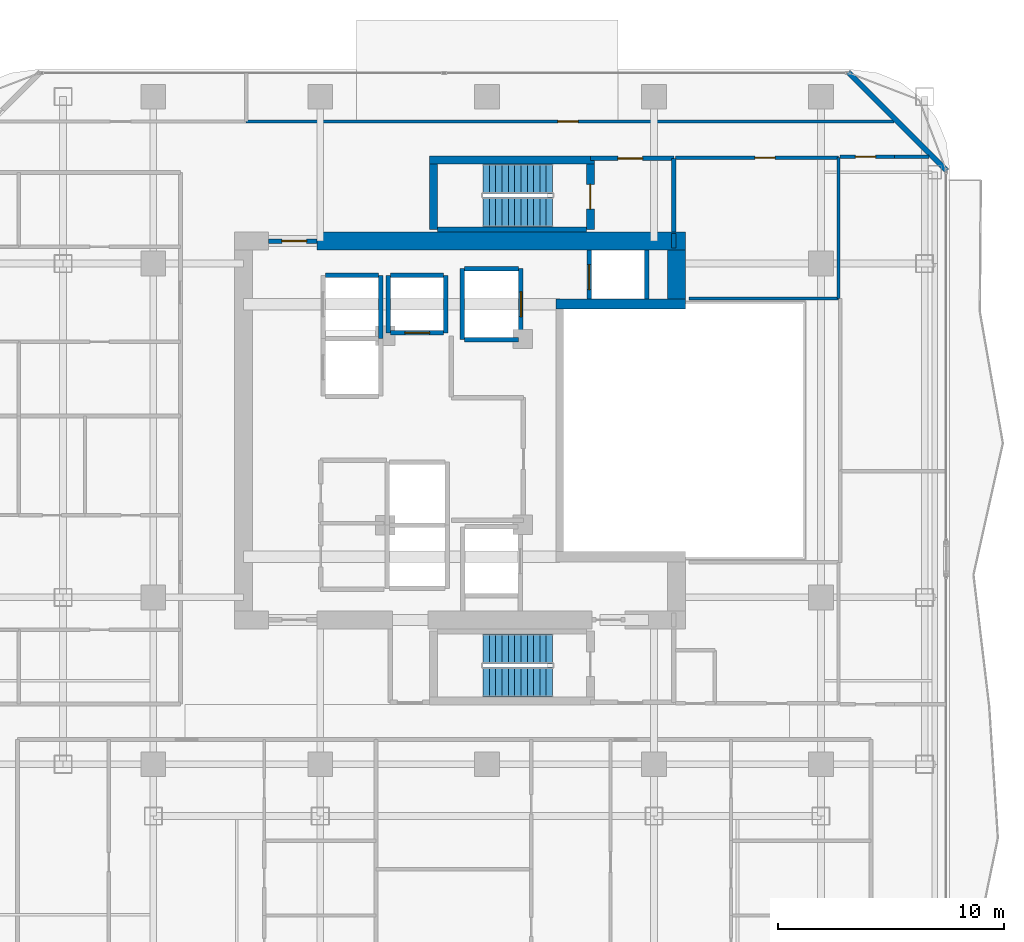
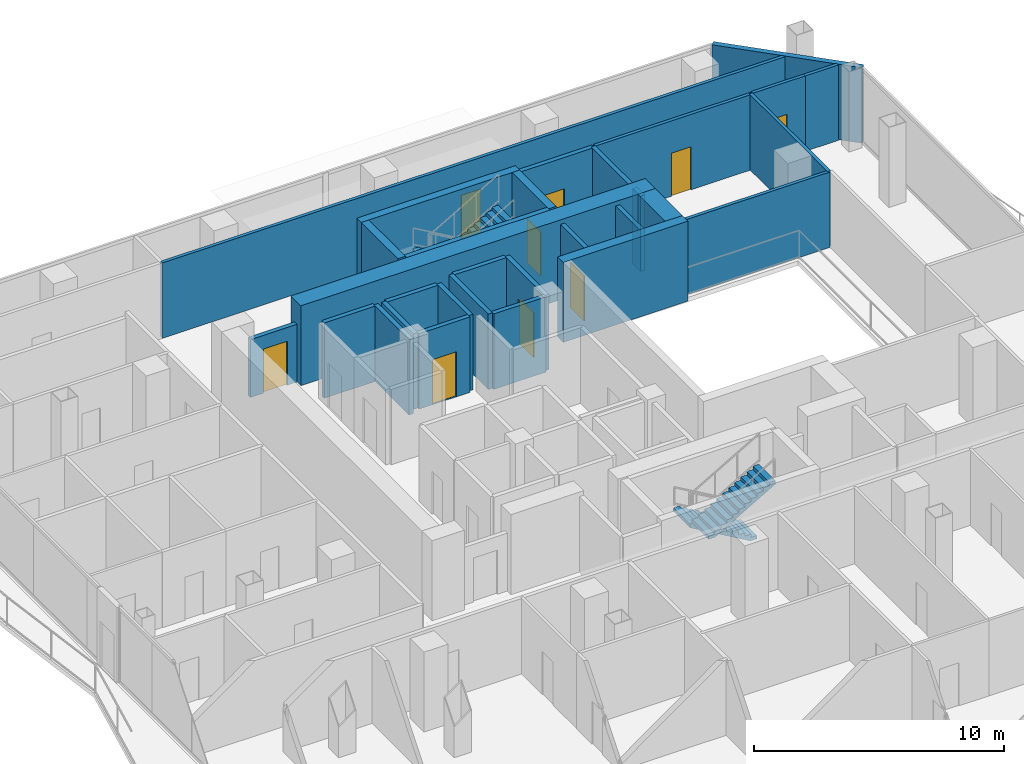
# One storey, part 20 of 23: 30 walls, 9 doors, 4 stair flights, 9 openings, 2 elements without a shape of their own.
"""IFC4 building model written with IfcOpenShell, lengths in metres."""

import ifcopenshell
import ifcopenshell.guid

model = None  # the IFC model being written
_history = None  # IfcOwnerHistory: only IFC2X3 demands one
_inside = {}  # id of a spatial element -> (the spatial element, [elements in it])
_under = {}  # id of a project, library or spatial element -> (it, [spatial elements below it])
_declared = {}  # id of a project -> (the project, [libraries it declares])
_typed = {}  # id of a type object -> (the type object, [elements of that type])
_made_of = {}  # id of a material, layer set ... -> (it, [elements and type objects made of it])


def new_model(schema):
    """Start an empty IFC model of exactly this schema.

    Asked for "IFC4X3", IfcOpenShell would pick the latest addendum, in which some entities
    have other attributes; the version numbers below select the first issue.
    IFC2X3 requires an IfcOwnerHistory on every rooted entity: one is made here for all.
    """
    global model, _history
    if schema == "IFC4X3":
        model = ifcopenshell.file(schema_version=(4, 3, 0, 0))
    else:
        model = ifcopenshell.file(schema=schema)
    _inside.clear()
    _under.clear()
    _declared.clear()
    _typed.clear()
    _made_of.clear()
    _history = None
    if model.schema == "IFC2X3":
        org = make("IfcOrganization", Name="unknown")
        user = make(
            "IfcPersonAndOrganization",
            ThePerson=make("IfcPerson", FamilyName="unknown"),
            TheOrganization=org,
        )
        app = make(
            "IfcApplication",
            ApplicationDeveloper=org,
            Version="unknown",
            ApplicationFullName="unknown",
            ApplicationIdentifier="unknown",
        )
        _history = make(
            "IfcOwnerHistory",
            OwningUser=user,
            OwningApplication=app,
            ChangeAction="ADDED",
            CreationDate=0,
        )
    return model


def make(cls, **values):
    """One entity of the class cls with the attributes given. An attribute that is None is left unset."""
    return model.create_entity(
        cls, **{name: value for name, value in values.items() if value is not None}
    )


def rooted(cls, **values):
    """An entity with a GlobalId (a new one), such as an element, a storey or a relation."""
    return make(cls, GlobalId=ifcopenshell.guid.new(), OwnerHistory=_history, **values)


def si_unit(unit_type, name, prefix=None):
    """IfcSIUnit, for example si_unit("LENGTHUNIT", "METRE", prefix="MILLI")."""
    return make("IfcSIUnit", UnitType=unit_type, Prefix=prefix, Name=name)


def assignment(units):
    """IfcUnitAssignment: the units of a project."""
    return None if units is None else make("IfcUnitAssignment", Units=units)


def point(xyz):
    """IfcCartesianPoint."""
    return None if xyz is None else make("IfcCartesianPoint", Coordinates=xyz)


def direction(xyz):
    """IfcDirection."""
    return None if xyz is None else make("IfcDirection", DirectionRatios=xyz)


def frame(location, z_axis=None, x_axis=None):
    """IfcAxis2Placement3D, a coordinate frame: its origin and axes. An axis left out is left unset."""
    return make(
        "IfcAxis2Placement3D",
        Location=point(location),
        Axis=direction(z_axis),
        RefDirection=direction(x_axis),
    )


def frame_2d(location, x_axis=None):
    """IfcAxis2Placement2D, a coordinate frame in the plane: its origin and x axis."""
    return make(
        "IfcAxis2Placement2D", Location=point(location), RefDirection=direction(x_axis)
    )


def origin():
    """The frame at (0, 0, 0) with its axes left unset."""
    return frame((0.0, 0.0, 0.0))


def place(relative_to, where):
    """IfcLocalPlacement: puts the frame where relative to a parent placement (None: the world)."""
    return make(
        "IfcLocalPlacement", PlacementRelTo=relative_to, RelativePlacement=where
    )


def context(
    kind, dimensions, precision=None, world=None, true_north=None, identifier=None
):
    """IfcGeometricRepresentationContext, for example the 3D "Model" context."""
    return make(
        "IfcGeometricRepresentationContext",
        ContextIdentifier=identifier,
        ContextType=kind,
        CoordinateSpaceDimension=dimensions,
        Precision=precision,
        WorldCoordinateSystem=world,
        TrueNorth=true_north,
    )


def subcontext(parent, identifier, kind, view, scale=None):
    """IfcGeometricRepresentationSubContext, for example "Body" below "Model"."""
    return make(
        "IfcGeometricRepresentationSubContext",
        ContextIdentifier=identifier,
        ContextType=kind,
        ParentContext=parent,
        TargetScale=scale,
        TargetView=view,
    )


def project(units=None, contexts=None):
    """IfcProject with its units and contexts."""
    return rooted(
        "IfcProject",
        Name="project",
        RepresentationContexts=contexts,
        UnitsInContext=assignment(units),
    )


def spatial(cls, under=None, at=None, **own):
    """A site, building, storey or space (cls), placed at a placement, below another one or the project."""
    s = rooted(cls, ObjectPlacement=at, **own)
    if under is not None:
        _under.setdefault(under.id(), (under, []))[1].append(s)
    return s


def polyline(points):
    """IfcPolyline through the points."""
    return make("IfcPolyline", Points=[point(p) for p in points])


def profile(cls, at=None, kind="AREA", **sizes):
    """A parametric profile (cls). Its sizes go by their IFC names, for example OverallWidth=200.0."""
    return make(cls, ProfileType=kind, Position=at, **sizes)


def rectangle(**sizes):
    """IfcRectangleProfileDef."""
    return profile("IfcRectangleProfileDef", **sizes)


def outline(outer, holes=None, kind="AREA"):
    """IfcArbitraryClosedProfileDef: a profile drawn as a closed curve; with holes, ...WithVoids."""
    if holes is None:
        return make("IfcArbitraryClosedProfileDef", ProfileType=kind, OuterCurve=outer)
    return make(
        "IfcArbitraryProfileDefWithVoids",
        ProfileType=kind,
        OuterCurve=outer,
        InnerCurves=holes,
    )


def extrude(swept, where, along, depth):
    """IfcExtrudedAreaSolid: the profile swept, set in the frame where, extruded along a direction by depth."""
    return make(
        "IfcExtrudedAreaSolid",
        SweptArea=swept,
        Position=where,
        ExtrudedDirection=direction(along),
        Depth=depth,
    )


def shape(context_of_items, identifier, shape_type, items):
    """IfcShapeRepresentation: the items that make up one representation, for example the "Body"."""
    return make(
        "IfcShapeRepresentation",
        ContextOfItems=context_of_items,
        RepresentationIdentifier=identifier,
        RepresentationType=shape_type,
        Items=items,
    )


def material(Name=None, Category=None):
    """IfcMaterial."""
    return make("IfcMaterial", Name=Name, Category=Category)


def layer(
    of_material, thickness, ventilated=None, Name=None, Category=None, Priority=None
):
    """IfcMaterialLayer: one layer of a wall or slab, of a material (None: an air gap)."""
    return make(
        "IfcMaterialLayer",
        Material=of_material,
        LayerThickness=thickness,
        IsVentilated=ventilated,
        Name=Name,
        Category=Category,
        Priority=Priority,
    )


def layer_set(layers, Name=None):
    """IfcMaterialLayerSet."""
    return make("IfcMaterialLayerSet", MaterialLayers=layers, LayerSetName=Name)


def made_of(thing, what):
    """Note that an element or type object is made of a material, layer set ...; save() writes the relation."""
    if what is not None:
        _made_of.setdefault(what.id(), (what, []))[1].append(thing)
    return thing


def type_object(cls, material=None, **own):
    """A type object (cls), such as IfcWallType, which elements share."""
    return made_of(rooted(cls, **own), material)


def element(
    cls,
    number,
    at=None,
    inside=None,
    cuts=None,
    type_object=None,
    material=None,
    context=None,
    identifier="Body",
    shape_type=None,
    held_by="IfcProductDefinitionShape",
    body=None,
    shapes=None,
    **own,
):
    """One element of the class cls, such as IfcWall. Its Tag is "e" and its number.

    at: its placement. inside: the storey or other place that contains it. cuts: it is an
    opening in that element (IfcRelVoidsElement). A single representation is given by context,
    identifier, shape_type and body (its items); several are given by shapes. held_by: the class
    of the entity that holds the representations. save() writes the other relations.
    """
    e = rooted(cls, Tag="e%d" % number, ObjectPlacement=at, **own)
    if body is not None:
        shapes = [shape(context, identifier, shape_type, body)]
    if shapes is not None:
        e.Representation = make(held_by, Representations=shapes)
    if inside is not None:
        _inside.setdefault(inside.id(), (inside, []))[1].append(e)
    if cuts is not None:
        rooted(
            "IfcRelVoidsElement", RelatingBuildingElement=cuts, RelatedOpeningElement=e
        )
    if type_object is not None:
        _typed.setdefault(type_object.id(), (type_object, []))[1].append(e)
    return made_of(e, material)


def fill(opening, filler):
    """IfcRelFillsElement: the door or window that sits in an opening."""
    return rooted(
        "IfcRelFillsElement",
        RelatingOpeningElement=opening,
        RelatedBuildingElement=filler,
    )


def aggregate(whole, parts):
    """IfcRelAggregates: a whole, such as a stair, and the parts it consists of."""
    return rooted("IfcRelAggregates", RelatingObject=whole, RelatedObjects=parts)


def save(model, path):
    """Write the relations noted so far, then the file.

    IfcRelAggregates (storeys below a building ...), IfcRelContainedInSpatialStructure (elements
    in a storey), IfcRelDefinesByType, IfcRelAssociatesMaterial and IfcRelDeclares: one each for
    every whole, place, type object, material and project.
    """
    for whole, parts in _under.values():
        aggregate(whole, parts)
    for where, things in _inside.values():
        rooted(
            "IfcRelContainedInSpatialStructure",
            RelatedElements=things,
            RelatingStructure=where,
        )
    for kind, things in _typed.values():
        rooted("IfcRelDefinesByType", RelatedObjects=things, RelatingType=kind)
    for what, things in _made_of.values():
        rooted("IfcRelAssociatesMaterial", RelatedObjects=things, RelatingMaterial=what)
    for by, libraries in _declared.values():
        rooted("IfcRelDeclares", RelatingContext=by, RelatedDefinitions=libraries)
    model.write(path)


model = new_model("IFC4")

# Units and contexts
model_context = context("Model", 3, precision=1e-05, world=origin(), true_north=direction((0.0, 1.0)))
body_context = subcontext(model_context, "Body", "Model", "MODEL_VIEW")
ifc_project = project(units=[si_unit("LENGTHUNIT", "METRE"), si_unit("AREAUNIT", "SQUARE_METRE"), si_unit("VOLUMEUNIT", "CUBIC_METRE"), si_unit("PLANEANGLEUNIT", "RADIAN"), si_unit("MASSUNIT", "GRAM", prefix="KILO")], contexts=[model_context])

# Site, building, storey
site_placement = place(None, origin())
site = spatial("IfcSite", under=ifc_project, at=site_placement, CompositionType="ELEMENT")
building_placement = place(site_placement, origin())
building = spatial("IfcBuilding", under=site, at=building_placement, Name="Khorvyn Point Tower", CompositionType="ELEMENT")
storey_placement = place(building_placement, frame((0.0, 0.0, 195.300048828125)))
storey = spatial("IfcBuildingStorey", under=building, at=storey_placement, Name="L48", CompositionType="ELEMENT", Elevation=195.300048828125)

# Walls
ifc_material_1 = material(Name="Pale anodised aluminium rainscreen on steel stud", Category="steel")
ifc_layer_1 = layer(ifc_material_1, 0.239990234375)
ifc_layer_set_1 = layer_set([ifc_layer_1], Name="Anodised Aluminium Insulated Corner Spandrel Wall 240")
wall_type_1 = type_object("IfcWallType", Name="Anodised Aluminium Insulated Corner Spandrel Wall 240", PredefinedType="SOLIDWALL", material=ifc_layer_set_1)
wall_1_placement = place(storey_placement, frame((16.007568359375, 15.892333984375, 0.0), z_axis=(0.0, 0.0, 1.0), x_axis=(0.707106781187, -0.707106781187, 0.0)))
element("IfcWall", 1, at=wall_1_placement, inside=storey, type_object=wall_type_1, Name="L48 Rounded Corner Wall NE", PredefinedType="SOLIDWALL", context=body_context, shape_type="SweptSolid", body=[
    extrude(rectangle(XDim=6.200927734375, YDim=0.239990234375, at=frame_2d((3.1005859375, 0.0))), origin(), (0.0, 0.0, 1.0), 3.679931640625),
])
ifc_material_2 = material(Name="Concrete C40/50", Category="concrete")
ifc_layer_2 = layer(ifc_material_2, 0.449951171875)
ifc_layer_set_2 = layer_set([ifc_layer_2], Name="Concrete C40/50 Core Shear Wall 450")
wall_type_2 = type_object("IfcWallType", Name="Concrete C40/50 Core Shear Wall 450", PredefinedType="SHEAR", material=ifc_layer_set_2)
wall_2_placement = place(storey_placement, frame((3.044921875, 5.60009765625, 0.0), z_axis=(0.0, 0.0, 1.0), x_axis=(1.0, 0.0, 0.0)))
element("IfcWall", 2, at=wall_2_placement, inside=storey, type_object=wall_type_2, Name="Wall", PredefinedType="SHEAR", context=body_context, shape_type="SweptSolid", body=[
    extrude(rectangle(XDim=5.755126953125, YDim=0.449951171875, at=frame_2d((2.87744140625, 0.0))), origin(), (0.0, 0.0, 1.0), 3.89990234375),
])

# Wall, opening, door
ifc_layer_3 = layer(ifc_material_2, 0.199951171875)
ifc_layer_set_3 = layer_set([ifc_layer_3], Name="Concrete C40/50 Fire-Lobby Compartment Wall 200")
wall_type_3 = type_object("IfcWallType", Name="Concrete C40/50 Fire-Lobby Compartment Wall 200", PredefinedType="SOLIDWALL", material=ifc_layer_set_3)
wall_3_placement = place(storey_placement, frame((4.580078125, 12.06005859375, 0.0), z_axis=(0.0, 0.0, 1.0), x_axis=(1.0, 0.0, 0.0)))
wall_3 = element("IfcWall", 3, at=wall_3_placement, inside=storey, type_object=wall_type_3, Name="Wall", PredefinedType="SOLIDWALL", context=body_context, shape_type="SweptSolid", body=[
    extrude(rectangle(XDim=3.699951171875, YDim=0.199951171875, at=frame_2d((1.85009765625, 0.0))), origin(), (0.0, 0.0, 1.0), 3.679931640625),
])
opening_1_placement = place(wall_3_placement, frame((1.21240234375, 0.0, 0.0)))
opening_1 = element("IfcOpeningElement", 4, at=opening_1_placement, cuts=wall_3, Name="Opening ID-FL90", PredefinedType="OPENING", context=body_context, shape_type="SweptSolid", body=[
    extrude(rectangle(XDim=1.10009765625, YDim=2.14990234375, at=frame_2d((0.550048828125, 1.074951171875))), frame((0.0, 0.10986328125, 0.0), z_axis=(0.0, -1.0, 0.0), x_axis=(1.0, 0.0, 0.0)), (0.0, 0.0, 1.0), 0.219970703125),
])
ifc_material_3 = material(Name="Galvanised powder-coated steel", Category="steel")
door_type_1 = type_object("IfcDoorType", Name="Fire-Rated Steel Lobby and Stair Door 1100x2150", OperationType="NOTDEFINED", PredefinedType="DOOR", material=ifc_material_3)
door_1_placement = place(opening_1_placement, origin())
door_1 = element("IfcDoor", 5, at=door_1_placement, inside=storey, type_object=door_type_1, Name="Door", OperationType="SINGLE_SWING_LEFT", OverallHeight=2.14990234375, OverallWidth=1.10009765625, PredefinedType="DOOR", context=body_context, shape_type="SweptSolid", body=[
    extrude(rectangle(XDim=1.10009765625, YDim=2.14990234375, at=frame_2d((0.550048828125, 1.074951171875))), frame((0.0, 0.02490234375, 0.0), z_axis=(0.0, -1.0, 0.0), x_axis=(1.0, 0.0, 0.0)), (0.0, 0.0, 1.0), 0.050048828125),
])
fill(opening_1, door_1)

wall_4_placement = place(storey_placement, frame((-9.699951171875, 8.39990234375, 0.0), z_axis=(0.0, 0.0, 1.0), x_axis=(1.0, 0.0, 0.0)))
wall_4 = element("IfcWall", 6, at=wall_4_placement, inside=storey, type_object=wall_type_3, Name="Wall", PredefinedType="SOLIDWALL", context=body_context, shape_type="SweptSolid", body=[
    extrude(rectangle(XDim=2.14990234375, YDim=0.199951171875, at=frame_2d((1.074951171875, 0.0))), origin(), (0.0, 0.0, 1.0), 2.820068359375),
])
opening_2_placement = place(wall_4_placement, frame((0.597900390625, 0.0, 0.0)))
opening_2 = element("IfcOpeningElement", 7, at=opening_2_placement, cuts=wall_4, Name="Opening ID-FL90", PredefinedType="OPENING", context=body_context, shape_type="SweptSolid", body=[
    extrude(rectangle(XDim=1.10009765625, YDim=2.14990234375, at=frame_2d((0.550048828125, 1.074951171875))), frame((0.0, 0.10986328125, 0.0), z_axis=(0.0, -1.0, 0.0), x_axis=(1.0, 0.0, 0.0)), (0.0, 0.0, 1.0), 0.219970703125),
])
door_2_placement = place(opening_2_placement, origin())
door_2 = element("IfcDoor", 8, at=door_2_placement, inside=storey, type_object=door_type_1, Name="Door", OperationType="SINGLE_SWING_LEFT", OverallHeight=2.14990234375, OverallWidth=1.10009765625, PredefinedType="DOOR", context=body_context, shape_type="SweptSolid", body=[
    extrude(rectangle(XDim=1.10009765625, YDim=2.14990234375, at=frame_2d((0.550048828125, 1.074951171875))), frame((0.0, 0.02490234375, 0.0), z_axis=(0.0, -1.0, 0.0), x_axis=(1.0, 0.0, 0.0)), (0.0, 0.0, 1.0), 0.050048828125),
])
fill(opening_2, door_2)

# Walls
wall_5_placement = place(storey_placement, frame((8.280029296875, 8.800048828125, 0.0), z_axis=(0.0, 0.0, 1.0), x_axis=(0.0, 1.0, 0.0)))
element("IfcWall", 9, at=wall_5_placement, inside=storey, type_object=wall_type_3, Name="Wall", PredefinedType="SOLIDWALL", context=body_context, shape_type="SweptSolid", body=[
    extrude(rectangle(XDim=3.260009765625, YDim=0.199951171875, at=frame_2d((1.6298828125, 0.0))), origin(), (0.0, 0.0, 1.0), 3.679931640625),
])
wall_6_placement = place(storey_placement, frame((8.280029296875, 8.10009765625, 0.0), z_axis=(0.0, 0.0, 1.0), x_axis=(0.0, 1.0, 0.0)))
element("IfcWall", 10, at=wall_6_placement, inside=storey, type_object=wall_type_3, Name="Wall", PredefinedType="SOLIDWALL", context=body_context, shape_type="SweptSolid", body=[
    extrude(rectangle(XDim=0.625, YDim=0.199951171875, at=frame_2d((0.3125, 0.0))), origin(), (0.0, 0.0, 1.0), 3.679931640625),
])
ifc_layer_4 = layer(ifc_material_2, 0.25)
ifc_layer_set_4 = layer_set([ifc_layer_4], Name="Concrete C40/50 Stair Inner Cheek Structural Wall 250")
wall_type_4 = type_object("IfcWallType", Name="Concrete C40/50 Stair Inner Cheek Structural Wall 250", PredefinedType="SHEAR", material=ifc_layer_set_4)
wall_7_placement = place(storey_placement, frame((-2.199951171875, 8.91259765625, 0.0), z_axis=(0.0, 0.0, 1.0), x_axis=(1.0, 0.0, 0.0)))
element("IfcWall", 11, at=wall_7_placement, inside=storey, type_object=wall_type_4, Name="Wall", PredefinedType="SHEAR", context=body_context, shape_type="SweptSolid", body=[
    extrude(rectangle(XDim=6.599853515625, YDim=0.22509765625, at=frame_2d((3.2998046875, 0.0))), origin(), (0.0, 0.0, 1.0), 3.89990234375),
])
ifc_layer_5 = layer(ifc_material_2, 0.35009765625)
ifc_layer_set_5 = layer_set([ifc_layer_5], Name="Concrete C40/50 Stair Shaft Structural Wall 350")
wall_type_5 = type_object("IfcWallType", Name="Concrete C40/50 Stair Shaft Structural Wall 350", PredefinedType="SHEAR", material=ifc_layer_set_5)
wall_8_placement = place(storey_placement, frame((-2.554931640625, 12.0, 0.0), z_axis=(0.0, 0.0, 1.0), x_axis=(1.0, 0.0, 0.0)))
element("IfcWall", 12, at=wall_8_placement, inside=storey, type_object=wall_type_5, Name="L48 ST-02 North Shaft Wall", PredefinedType="SHEAR", context=body_context, shape_type="SweptSolid", body=[
    extrude(rectangle(XDim=7.309814453125, YDim=0.35009765625, at=frame_2d((3.65478515625, 0.0))), origin(), (0.0, 0.0, 1.0), 3.89990234375),
])
wall_9_placement = place(storey_placement, frame((-2.3798828125, 8.89990234375, 0.0), z_axis=(0.0, 0.0, 1.0), x_axis=(0.0, 1.0, 0.0)))
element("IfcWall", 13, at=wall_9_placement, inside=storey, type_object=wall_type_5, Name="L48 ST-02 West Shaft Wall", PredefinedType="SHEAR", context=body_context, shape_type="SweptSolid", body=[
    extrude(rectangle(XDim=2.925048828125, YDim=0.35009765625, at=frame_2d((1.46240234375, 0.0))), origin(), (0.0, 0.0, 1.0), 3.89990234375),
])

# Wall, opening, door
wall_10_placement = place(storey_placement, frame((4.580078125, 11.824951171875, 0.0), z_axis=(0.0, 0.0, 1.0), x_axis=(0.0, -1.0, 0.0)))
wall_10 = element("IfcWall", 14, at=wall_10_placement, inside=storey, type_object=wall_type_5, Name="L48 ST-02 East Landing Door Wall", PredefinedType="SHEAR", context=body_context, shape_type="SweptSolid", body=[
    extrude(rectangle(XDim=2.925048828125, YDim=0.35009765625, at=frame_2d((1.46240234375, 0.0))), origin(), (0.0, 0.0, 1.0), 3.89990234375),
])
opening_3_placement = place(wall_10_placement, frame((0.91259765625, 0.0, 0.0)))
opening_3 = element("IfcOpeningElement", 15, at=opening_3_placement, cuts=wall_10, Name="Opening ID-FL90", PredefinedType="OPENING", context=body_context, shape_type="SweptSolid", body=[
    extrude(rectangle(XDim=1.10009765625, YDim=2.14990234375, at=frame_2d((0.550048828125, 1.074951171875))), frame((0.0, 0.18505859375, 0.0), z_axis=(0.0, -1.0, 0.0), x_axis=(1.0, 0.0, 0.0)), (0.0, 0.0, 1.0), 0.3701171875),
])
door_3_placement = place(opening_3_placement, origin())
door_3 = element("IfcDoor", 16, at=door_3_placement, inside=storey, type_object=door_type_1, Name="L48 ST-02 Smokeproof Landing Door", OperationType="SINGLE_SWING_LEFT", OverallHeight=2.14990234375, OverallWidth=1.10009765625, PredefinedType="DOOR", context=body_context, shape_type="SweptSolid", body=[
    extrude(rectangle(XDim=1.10009765625, YDim=2.14990234375, at=frame_2d((0.550048828125, 1.074951171875))), frame((0.0, 0.02490234375, 0.0), z_axis=(0.0, -1.0, 0.0), x_axis=(1.0, 0.0, 0.0)), (0.0, 0.0, 1.0), 0.050048828125),
])
fill(opening_3, door_3)

# Walls
ifc_layer_6 = layer(ifc_material_2, 0.199951171875)
ifc_layer_set_6 = layer_set([ifc_layer_6], Name="Concrete C40/50 Structural Hoistway and Stair Shaft Wall 200")
wall_type_6 = type_object("IfcWallType", Name="Concrete C40/50 Structural Hoistway and Stair Shaft Wall 200", PredefinedType="SHEAR", material=ifc_layer_set_6)
wall_11_placement = place(storey_placement, frame((-4.72509765625, 4.074951171875, 0.0), z_axis=(0.0, 0.0, 1.0), x_axis=(0.0, 1.0, 0.0)))
element("IfcWall", 17, at=wall_11_placement, inside=storey, type_object=wall_type_6, Name="Wall", PredefinedType="SHEAR", context=body_context, shape_type="SweptSolid", body=[
    extrude(rectangle(XDim=2.800048828125, YDim=0.199951171875, at=frame_2d((1.39990234375, 0.0))), origin(), (0.0, 0.0, 1.0), 3.679931640625),
])
wall_12_placement = place(storey_placement, frame((-7.175048828125, 6.875, 0.0), z_axis=(0.0, 0.0, 1.0), x_axis=(1.0, 0.0, 0.0)))
element("IfcWall", 18, at=wall_12_placement, inside=storey, type_object=wall_type_6, Name="Wall", PredefinedType="SHEAR", context=body_context, shape_type="SweptSolid", body=[
    extrude(rectangle(XDim=2.35009765625, YDim=0.199951171875, at=frame_2d((1.175048828125, 0.0))), origin(), (0.0, 0.0, 1.0), 3.679931640625),
])
for number, where, z_axis, x_axis, name in (
    (19, (-4.375, 4.324951171875, 0.0), (0.0, 0.0, 1.0), (0.0, 1.0, 0.0), "Wall"),
    (20, (-1.824951171875, 4.324951171875, 0.0), (0.0, 0.0, 1.0), (0.0, 1.0, 0.0), "Wall"),
):
    element("IfcWall", number, at=place(storey_placement, frame(where, z_axis=z_axis, x_axis=x_axis)), inside=storey, type_object=wall_type_6, Name=name, PredefinedType="SHEAR", context=body_context, shape_type="SweptSolid", body=[
        extrude(rectangle(XDim=2.550048828125, YDim=0.199951171875, at=frame_2d((1.27490234375, 0.0))), origin(), (0.0, 0.0, 1.0), 3.679931640625),
    ])

# Wall, opening, door
wall_13_placement = place(storey_placement, frame((-4.27490234375, 4.324951171875, 0.0), z_axis=(0.0, 0.0, 1.0), x_axis=(1.0, 0.0, 0.0)))
wall_13 = element("IfcWall", 21, at=wall_13_placement, inside=storey, type_object=wall_type_6, Name="Wall", PredefinedType="SHEAR", context=body_context, shape_type="SweptSolid", body=[
    extrude(rectangle(XDim=2.349853515625, YDim=0.199951171875, at=frame_2d((1.1748046875, 0.0))), origin(), (0.0, 0.0, 1.0), 3.679931640625),
])
opening_4_placement = place(wall_13_placement, frame((0.625, 0.0, 0.0)))
opening_4 = element("IfcOpeningElement", 22, at=opening_4_placement, cuts=wall_13, Name="Opening LD-1122", PredefinedType="OPENING", context=body_context, shape_type="SweptSolid", body=[
    extrude(rectangle(XDim=1.10009765625, YDim=2.199951171875, at=frame_2d((0.550048828125, 1.10009765625))), frame((0.0, 0.10986328125, 0.0), z_axis=(0.0, -1.0, 0.0), x_axis=(1.0, 0.0, 0.0)), (0.0, 0.0, 1.0), 0.219970703125),
])
ifc_material_4 = material(Name="Stainless steel 1.4301", Category="steel")
door_type_2 = type_object("IfcDoorType", Name="Stainless Steel Automatic Sliding Lift Landing Door 1100x2200", OperationType="SLIDING_TO_LEFT", PredefinedType="DOOR", material=ifc_material_4)
door_4_placement = place(opening_4_placement, origin())
door_4 = element("IfcDoor", 23, at=door_4_placement, inside=storey, type_object=door_type_2, Name="L48 RM-03 Sliding Lift Landing Door", OperationType="SLIDING_TO_LEFT", OverallHeight=2.199951171875, OverallWidth=1.10009765625, PredefinedType="DOOR", context=body_context, shape_type="SweptSolid", body=[
    extrude(rectangle(XDim=1.10009765625, YDim=2.199951171875, at=frame_2d((0.550048828125, 1.10009765625))), frame((0.0, 0.02490234375, 0.0), z_axis=(0.0, -1.0, 0.0), x_axis=(1.0, 0.0, 0.0)), (0.0, 0.0, 1.0), 0.050048828125),
])
fill(opening_4, door_4)

# Walls
wall_14_placement = place(storey_placement, frame((-4.27490234375, 6.875, 0.0), z_axis=(0.0, 0.0, 1.0), x_axis=(1.0, 0.0, 0.0)))
element("IfcWall", 24, at=wall_14_placement, inside=storey, type_object=wall_type_6, Name="Wall", PredefinedType="SHEAR", context=body_context, shape_type="SweptSolid", body=[
    extrude(rectangle(XDim=2.349853515625, YDim=0.199951171875, at=frame_2d((1.1748046875, 0.0))), origin(), (0.0, 0.0, 1.0), 3.679931640625),
])
wall_15_placement = place(storey_placement, frame((-1.10009765625, 4.02490234375, 0.0), z_axis=(0.0, 0.0, 1.0), x_axis=(0.0, 1.0, 0.0)))
element("IfcWall", 25, at=wall_15_placement, inside=storey, type_object=wall_type_6, Name="Wall", PredefinedType="SHEAR", context=body_context, shape_type="SweptSolid", body=[
    extrude(rectangle(XDim=3.150146484375, YDim=0.199951171875, at=frame_2d((1.5751953125, 0.0))), origin(), (0.0, 0.0, 1.0), 3.679931640625),
])

# Wall, opening, door
wall_16_placement = place(storey_placement, frame((1.5, 4.02490234375, 0.0), z_axis=(0.0, 0.0, 1.0), x_axis=(0.0, 1.0, 0.0)))
wall_16 = element("IfcWall", 26, at=wall_16_placement, inside=storey, type_object=wall_type_6, Name="Wall", PredefinedType="SHEAR", context=body_context, shape_type="SweptSolid", body=[
    extrude(rectangle(XDim=3.150146484375, YDim=0.199951171875, at=frame_2d((1.5751953125, 0.0))), origin(), (0.0, 0.0, 1.0), 3.679931640625),
])
opening_5_placement = place(wall_16_placement, frame((1.02490234375, 0.0, 0.0)))
opening_5 = element("IfcOpeningElement", 27, at=opening_5_placement, cuts=wall_16, Name="Opening LD-1122", PredefinedType="OPENING", context=body_context, shape_type="SweptSolid", body=[
    extrude(rectangle(XDim=1.10009765625, YDim=2.199951171875, at=frame_2d((0.550048828125, 1.10009765625))), frame((0.0, 0.10986328125, 0.0), z_axis=(0.0, -1.0, 0.0), x_axis=(1.0, 0.0, 0.0)), (0.0, 0.0, 1.0), 0.219970703125),
])
door_5_placement = place(opening_5_placement, origin())
door_5 = element("IfcDoor", 28, at=door_5_placement, inside=storey, type_object=door_type_2, Name="L48 SV-01 Sliding Lift Landing Door", OperationType="SLIDING_TO_LEFT", OverallHeight=2.199951171875, OverallWidth=1.10009765625, PredefinedType="DOOR", context=body_context, shape_type="SweptSolid", body=[
    extrude(rectangle(XDim=1.10009765625, YDim=2.199951171875, at=frame_2d((0.550048828125, 1.10009765625))), frame((0.0, 0.02490234375, 0.0), z_axis=(0.0, -1.0, 0.0), x_axis=(1.0, 0.0, 0.0)), (0.0, 0.0, 1.0), 0.050048828125),
])
fill(opening_5, door_5)

# Walls
for number, where, z_axis, x_axis, name in (
    (29, (-1.0, 4.02490234375, 0.0), (0.0, 0.0, 1.0), (1.0, 0.0, 0.0), "Wall"),
    (30, (-1.0, 7.175048828125, 0.0), (0.0, 0.0, 1.0), (1.0, 0.0, 0.0), "Wall"),
):
    element("IfcWall", number, at=place(storey_placement, frame(where, z_axis=z_axis, x_axis=x_axis)), inside=storey, type_object=wall_type_6, Name=name, PredefinedType="SHEAR", context=body_context, shape_type="SweptSolid", body=[
        extrude(rectangle(XDim=2.39990234375, YDim=0.199951171875, at=frame_2d((1.199951171875, 0.0))), origin(), (0.0, 0.0, 1.0), 3.679931640625),
    ])

# Wall, opening, door
wall_17_placement = place(storey_placement, frame((4.52490234375, 5.824951171875, 0.0), z_axis=(0.0, 0.0, 1.0), x_axis=(0.0, 1.0, 0.0)))
wall_17 = element("IfcWall", 31, at=wall_17_placement, inside=storey, type_object=wall_type_6, Name="Wall", PredefinedType="SHEAR", context=body_context, shape_type="SweptSolid", body=[
    extrude(rectangle(XDim=2.175048828125, YDim=0.199951171875, at=frame_2d((1.08740234375, 0.0))), origin(), (0.0, 0.0, 1.0), 3.679931640625),
])
opening_6_placement = place(wall_17_placement, frame((0.425048828125, 0.0, 0.0)))
opening_6 = element("IfcOpeningElement", 32, at=opening_6_placement, cuts=wall_17, Name="Opening LD-1122", PredefinedType="OPENING", context=body_context, shape_type="SweptSolid", body=[
    extrude(rectangle(XDim=1.10009765625, YDim=2.199951171875, at=frame_2d((0.550048828125, 1.10009765625))), frame((0.0, 0.10986328125, 0.0), z_axis=(0.0, -1.0, 0.0), x_axis=(1.0, 0.0, 0.0)), (0.0, 0.0, 1.0), 0.219970703125),
])
door_6_placement = place(opening_6_placement, origin())
door_6 = element("IfcDoor", 33, at=door_6_placement, inside=storey, type_object=door_type_2, Name="L48 FF-02 Sliding Lift Landing Door", OperationType="SLIDING_TO_LEFT", OverallHeight=2.199951171875, OverallWidth=1.10009765625, PredefinedType="DOOR", context=body_context, shape_type="SweptSolid", body=[
    extrude(rectangle(XDim=1.10009765625, YDim=2.199951171875, at=frame_2d((0.550048828125, 1.10009765625))), frame((0.0, 0.02490234375, 0.0), z_axis=(0.0, -1.0, 0.0), x_axis=(1.0, 0.0, 0.0)), (0.0, 0.0, 1.0), 0.050048828125),
])
fill(opening_6, door_6)

# Walls
wall_18_placement = place(storey_placement, frame((7.074951171875, 5.824951171875, 0.0), z_axis=(0.0, 0.0, 1.0), x_axis=(0.0, 1.0, 0.0)))
element("IfcWall", 34, at=wall_18_placement, inside=storey, type_object=wall_type_6, Name="Wall", PredefinedType="SHEAR", context=body_context, shape_type="SweptSolid", body=[
    extrude(rectangle(XDim=2.175048828125, YDim=0.199951171875, at=frame_2d((1.08740234375, 0.0))), origin(), (0.0, 0.0, 1.0), 3.679931640625),
])
ifc_material_5 = material(Name="Concrete C45/55", Category="concrete")
ifc_layer_7 = layer(ifc_material_5, 0.800048828125)
ifc_layer_set_7 = layer_set([ifc_layer_7], Name="Concrete C45/55 Core Shear Wall 800")
wall_type_7 = type_object("IfcWallType", Name="Concrete C45/55 Core Shear Wall 800", PredefinedType="SHEAR", material=ifc_layer_set_7)
wall_19_placement = place(storey_placement, frame((-7.550048828125, 8.39990234375, 0.0), z_axis=(0.0, 0.0, 1.0), x_axis=(1.0, 0.0, 0.0)))
element("IfcWall", 35, at=wall_19_placement, inside=storey, type_object=wall_type_7, Name="Wall", PredefinedType="SHEAR", context=body_context, shape_type="SweptSolid", body=[
    extrude(rectangle(XDim=16.35009765625, YDim=0.800048828125, at=frame_2d((8.175048828125, 0.0))), origin(), (0.0, 0.0, 1.0), 3.89990234375),
])
wall_20_placement = place(storey_placement, frame((8.39990234375, 5.824951171875, 0.0), z_axis=(0.0, 0.0, 1.0), x_axis=(0.0, 1.0, 0.0)))
element("IfcWall", 36, at=wall_20_placement, inside=storey, type_object=wall_type_7, Name="Wall", PredefinedType="SHEAR", context=body_context, shape_type="SweptSolid", body=[
    extrude(rectangle(XDim=2.175048828125, YDim=0.800048828125, at=frame_2d((1.08740234375, 0.0))), origin(), (0.0, 0.0, 1.0), 3.89990234375),
])

# Wall, opening, door
ifc_material_6 = material(Name="Moisture-resistant gypsum and cement board", Category="gypsum")
ifc_layer_8 = layer(ifc_material_6, 0.14990234375)
ifc_layer_set_8 = layer_set([ifc_layer_8], Name="Moisture-Resistant Wet-Room Partition Wall 150")
wall_type_8 = type_object("IfcWallType", Name="Moisture-Resistant Wet-Room Partition Wall 150", PredefinedType="PARTITIONING", material=ifc_layer_set_8)
wall_21_placement = place(storey_placement, frame((8.360107421875, 12.10009765625, 0.0), z_axis=(0.0, 0.0, 1.0), x_axis=(1.0, 0.0, 0.0)))
wall_21 = element("IfcWall", 37, at=wall_21_placement, inside=storey, type_object=wall_type_8, Name="Wall", PredefinedType="PARTITIONING", context=body_context, shape_type="SweptSolid", body=[
    extrude(rectangle(XDim=7.219970703125, YDim=0.14990234375, at=frame_2d((3.60986328125, 0.0))), origin(), (0.0, 0.0, 1.0), 3.679931640625),
])
opening_7_placement = place(wall_21_placement, frame((3.512939453125, 0.0, 0.0)))
opening_7 = element("IfcOpeningElement", 38, at=opening_7_placement, cuts=wall_21, Name="Opening ID-RM90", PredefinedType="OPENING", context=body_context, shape_type="SweptSolid", body=[
    extrude(rectangle(XDim=0.89990234375, YDim=2.10009765625, at=frame_2d((0.449951171875, 1.050048828125))), frame((0.0, 0.0849609375, 0.0), z_axis=(0.0, -1.0, 0.0), x_axis=(1.0, 0.0, 0.0)), (0.0, 0.0, 1.0), 0.169921875),
])
ifc_material_7 = material(Name="Engineered oak veneer timber", Category="wood")
door_type_3 = type_object("IfcDoorType", Name="Flush Engineered Timber Room Door 900x2100", OperationType="NOTDEFINED", PredefinedType="DOOR", material=ifc_material_7)
door_7_placement = place(opening_7_placement, origin())
door_7 = element("IfcDoor", 39, at=door_7_placement, inside=storey, type_object=door_type_3, Name="Door", OperationType="SINGLE_SWING_RIGHT", OverallHeight=2.10009765625, OverallWidth=0.89990234375, PredefinedType="DOOR", context=body_context, shape_type="SweptSolid", body=[
    extrude(rectangle(XDim=0.89990234375, YDim=2.10009765625, at=frame_2d((0.449951171875, 1.050048828125))), frame((0.0, 0.02490234375, 0.0), z_axis=(0.0, -1.0, 0.0), x_axis=(1.0, 0.0, 0.0)), (0.0, 0.0, 1.0), 0.050048828125),
])
fill(opening_7, door_7)

wall_22_placement = place(storey_placement, frame((-10.68701171875, 13.699951171875, 0.0), z_axis=(0.0, 0.0, 1.0), x_axis=(1.0, 0.0, 0.0)))
wall_22 = element("IfcWall", 40, at=wall_22_placement, inside=storey, type_object=wall_type_8, Name="Wall", PredefinedType="PARTITIONING", context=body_context, shape_type="SweptSolid", body=[
    extrude(rectangle(XDim=28.717041015625, YDim=0.14990234375, at=frame_2d((14.3583984375, 0.0))), origin(), (0.0, 0.0, 1.0), 3.679931640625),
])
opening_8_placement = place(wall_22_placement, frame((13.818603515625, 0.0, 0.0)))
opening_8 = element("IfcOpeningElement", 41, at=opening_8_placement, cuts=wall_22, Name="Opening ID-RM90", PredefinedType="OPENING", context=body_context, shape_type="SweptSolid", body=[
    extrude(rectangle(XDim=0.89990234375, YDim=2.10009765625, at=frame_2d((0.449951171875, 1.050048828125))), frame((0.0, 0.0849609375, 0.0), z_axis=(0.0, -1.0, 0.0), x_axis=(1.0, 0.0, 0.0)), (0.0, 0.0, 1.0), 0.169921875),
])
door_8_placement = place(opening_8_placement, origin())
door_8 = element("IfcDoor", 42, at=door_8_placement, inside=storey, type_object=door_type_3, Name="Door", OperationType="SINGLE_SWING_RIGHT", OverallHeight=2.10009765625, OverallWidth=0.89990234375, PredefinedType="DOOR", context=body_context, shape_type="SweptSolid", body=[
    extrude(rectangle(XDim=0.89990234375, YDim=2.10009765625, at=frame_2d((0.449951171875, 1.050048828125))), frame((0.0, 0.02490234375, 0.0), z_axis=(0.0, -1.0, 0.0), x_axis=(1.0, 0.0, 0.0)), (0.0, 0.0, 1.0), 0.050048828125),
])
fill(opening_8, door_8)

wall_23_placement = place(storey_placement, frame((15.64990234375, 12.139892578125, 0.0), z_axis=(0.0, 0.0, 1.0), x_axis=(1.0, 0.0, 0.0)))
wall_23 = element("IfcWall", 43, at=wall_23_placement, inside=storey, type_object=wall_type_8, Name="Wall", PredefinedType="PARTITIONING", context=body_context, shape_type="SweptSolid", body=[
    extrude(rectangle(XDim=2.420166015625, YDim=0.14990234375, at=frame_2d((1.2099609375, 0.0))), origin(), (0.0, 0.0, 1.0), 3.679931640625),
])
opening_9_placement = place(wall_23_placement, frame((0.67431640625, 0.0, 0.0)))
opening_9 = element("IfcOpeningElement", 44, at=opening_9_placement, cuts=wall_23, Name="Opening ID-RM90", PredefinedType="OPENING", context=body_context, shape_type="SweptSolid", body=[
    extrude(rectangle(XDim=0.89990234375, YDim=2.10009765625, at=frame_2d((0.449951171875, 1.050048828125))), frame((0.0, 0.0849609375, 0.0), z_axis=(0.0, -1.0, 0.0), x_axis=(1.0, 0.0, 0.0)), (0.0, 0.0, 1.0), 0.169921875),
])
door_9_placement = place(opening_9_placement, origin())
door_9 = element("IfcDoor", 45, at=door_9_placement, inside=storey, type_object=door_type_3, Name="Door", OperationType="SINGLE_SWING_RIGHT", OverallHeight=2.10009765625, OverallWidth=0.89990234375, PredefinedType="DOOR", context=body_context, shape_type="SweptSolid", body=[
    extrude(rectangle(XDim=0.89990234375, YDim=2.10009765625, at=frame_2d((0.449951171875, 1.050048828125))), frame((0.0, 0.02490234375, 0.0), z_axis=(0.0, -1.0, 0.0), x_axis=(1.0, 0.0, 0.0)), (0.0, 0.0, 1.0), 0.050048828125),
])
fill(opening_9, door_9)

# Walls
wall_24_placement = place(storey_placement, frame((15.580078125, 5.85009765625, 0.0), z_axis=(0.0, 0.0, 1.0), x_axis=(0.0, 1.0, 0.0)))
element("IfcWall", 46, at=wall_24_placement, inside=storey, type_object=wall_type_8, Name="Wall", PredefinedType="PARTITIONING", context=body_context, shape_type="SweptSolid", body=[
    extrude(rectangle(XDim=6.25, YDim=0.14990234375, at=frame_2d((3.125, 0.0))), origin(), (0.0, 0.0, 1.0), 3.679931640625),
])
wall_25_placement = place(storey_placement, frame((8.9599609375, 5.85009765625, 0.0), z_axis=(0.0, 0.0, 1.0), x_axis=(1.0, 0.0, 0.0)))
element("IfcWall", 47, at=wall_25_placement, inside=storey, type_object=wall_type_8, Name="Wall", PredefinedType="PARTITIONING", context=body_context, shape_type="SweptSolid", body=[
    extrude(rectangle(XDim=6.6201171875, YDim=0.14990234375, at=frame_2d((3.31005859375, 0.0))), origin(), (0.0, 0.0, 1.0), 3.679931640625),
])
wall_26_placement = place(storey_placement, frame((18.070068359375, 12.139892578125, 0.0), z_axis=(0.0, 0.0, 1.0), x_axis=(1.0, 0.0, 0.0)))
element("IfcWall", 48, at=wall_26_placement, inside=storey, type_object=wall_type_8, Name="Wall", PredefinedType="PARTITIONING", context=body_context, shape_type="SweptSolid", body=[
    extrude(rectangle(XDim=1.52001953125, YDim=0.14990234375, at=frame_2d((0.760009765625, 0.0))), origin(), (0.0, 0.0, 1.0), 3.679931640625),
])

# Stair, stair flights
stair_type = type_object("IfcStairType", Name="Tower Concrete C40/50 Dogleg Exit Stair", PredefinedType="HALF_TURN_STAIR", material=ifc_material_2)
stair_1_placement = place(storey_placement, origin())
stair_1 = element("IfcStair", 49, at=stair_1_placement, inside=storey, type_object=stair_type, Name="L48 Tower Smokeproof Exit Stair South", PredefinedType="HALF_TURN_STAIR")
stair_flight_type = type_object("IfcStairFlightType", Name="Tower Concrete C40/50 Stair Flight", PredefinedType="STRAIGHT", material=ifc_material_2)
stair_flight_1_placement = place(storey_placement, frame((2.89990234375, -9.679931640625, 0.0), z_axis=(0.0, 0.0, 1.0), x_axis=(-1.0, 0.0, 0.0)))
stair_flight_1 = element("IfcStairFlight", 50, at=stair_flight_1_placement, type_object=stair_flight_type, Name="ST-01 flight 1", NumberOfRisers=12, NumberOfTreads=11, PredefinedType="STRAIGHT", RiserHeight=0.1625, TreadLength=0.28, context=body_context, shape_type="SweptSolid", body=[
    extrude(outline(polyline([(0.0, 0.0), (0.0, 0.16259765625), (0.280029296875, 0.16259765625), (0.280029296875, 0.324951171875), (0.56005859375, 0.324951171875), (0.56005859375, 0.487548828125), (0.840087890625, 0.487548828125), (0.840087890625, 0.64990234375), (1.1201171875, 0.64990234375), (1.1201171875, 0.8125), (1.39990234375, 0.8125), (1.39990234375, 0.97509765625), (1.679931640625, 0.97509765625), (1.679931640625, 1.137451171875), (1.9599609375, 1.137451171875), (1.9599609375, 1.300048828125), (2.239990234375, 1.300048828125), (2.239990234375, 1.46240234375), (2.52001953125, 1.46240234375), (2.52001953125, 1.625), (2.800048828125, 1.625), (2.800048828125, 1.78759765625), (3.080078125, 1.78759765625), (3.080078125, 1.949951171875), (3.080078125, 1.6142578125), (0.298583984375, 0.0), (0.0, 0.0)])), frame((0.0, 0.66015625, 0.0), z_axis=(0.0, -1.0, 0.0), x_axis=(1.0, 0.0, 0.0)), (0.0, 0.0, 1.0), 1.320068359375),
])
stair_flight_2_placement = place(storey_placement, frame((-0.179931640625, -11.159912109375, 1.949951171875), z_axis=(0.0, 0.0, 1.0), x_axis=(1.0, 0.0, 0.0)))
stair_flight_2 = element("IfcStairFlight", 51, at=stair_flight_2_placement, type_object=stair_flight_type, Name="ST-01 flight 2", NumberOfRisers=12, NumberOfTreads=11, PredefinedType="STRAIGHT", RiserHeight=0.1625, TreadLength=0.28, context=body_context, shape_type="SweptSolid", body=[
    extrude(outline(polyline([(0.0, 0.0), (0.0, 0.16259765625), (0.280029296875, 0.16259765625), (0.280029296875, 0.324951171875), (0.56005859375, 0.324951171875), (0.56005859375, 0.487548828125), (0.840087890625, 0.487548828125), (0.840087890625, 0.64990234375), (1.1201171875, 0.64990234375), (1.1201171875, 0.8125), (1.39990234375, 0.8125), (1.39990234375, 0.97509765625), (1.679931640625, 0.97509765625), (1.679931640625, 1.137451171875), (1.9599609375, 1.137451171875), (1.9599609375, 1.300048828125), (2.239990234375, 1.300048828125), (2.239990234375, 1.46240234375), (2.52001953125, 1.46240234375), (2.52001953125, 1.625), (2.800048828125, 1.625), (2.800048828125, 1.78759765625), (3.080078125, 1.78759765625), (3.080078125, 1.949951171875), (3.080078125, 1.6142578125), (0.298583984375, 0.0), (0.0, 0.0)])), frame((0.0, 0.66015625, 0.0), z_axis=(0.0, -1.0, 0.0), x_axis=(1.0, 0.0, 0.0)), (0.0, 0.0, 1.0), 1.320068359375),
])
aggregate(stair_1, [stair_flight_1, stair_flight_2])

stair_2_placement = place(storey_placement, origin())
stair_2 = element("IfcStair", 52, at=stair_2_placement, inside=storey, type_object=stair_type, Name="L48 Tower Smokeproof Exit Stair North", PredefinedType="HALF_TURN_STAIR")
stair_flight_3_placement = place(storey_placement, frame((2.89990234375, 11.159912109375, 0.0), z_axis=(0.0, 0.0, 1.0), x_axis=(-1.0, 0.0, 0.0)))
stair_flight_3 = element("IfcStairFlight", 53, at=stair_flight_3_placement, type_object=stair_flight_type, Name="ST-02 flight 1", NumberOfRisers=12, NumberOfTreads=11, PredefinedType="STRAIGHT", RiserHeight=0.1625, TreadLength=0.28, context=body_context, shape_type="SweptSolid", body=[
    extrude(outline(polyline([(0.0, 0.0), (0.0, 0.16259765625), (0.280029296875, 0.16259765625), (0.280029296875, 0.324951171875), (0.56005859375, 0.324951171875), (0.56005859375, 0.487548828125), (0.840087890625, 0.487548828125), (0.840087890625, 0.64990234375), (1.1201171875, 0.64990234375), (1.1201171875, 0.8125), (1.39990234375, 0.8125), (1.39990234375, 0.97509765625), (1.679931640625, 0.97509765625), (1.679931640625, 1.137451171875), (1.9599609375, 1.137451171875), (1.9599609375, 1.300048828125), (2.239990234375, 1.300048828125), (2.239990234375, 1.46240234375), (2.52001953125, 1.46240234375), (2.52001953125, 1.625), (2.800048828125, 1.625), (2.800048828125, 1.78759765625), (3.080078125, 1.78759765625), (3.080078125, 1.949951171875), (3.080078125, 1.6142578125), (0.298583984375, 0.0), (0.0, 0.0)])), frame((0.0, 0.66015625, 0.0), z_axis=(0.0, -1.0, 0.0), x_axis=(1.0, 0.0, 0.0)), (0.0, 0.0, 1.0), 1.320068359375),
])
stair_flight_4_placement = place(storey_placement, frame((-0.179931640625, 9.679931640625, 1.949951171875), z_axis=(0.0, 0.0, 1.0), x_axis=(1.0, 0.0, 0.0)))
stair_flight_4 = element("IfcStairFlight", 54, at=stair_flight_4_placement, type_object=stair_flight_type, Name="ST-02 flight 2", NumberOfRisers=12, NumberOfTreads=11, PredefinedType="STRAIGHT", RiserHeight=0.1625, TreadLength=0.28, context=body_context, shape_type="SweptSolid", body=[
    extrude(outline(polyline([(0.0, 0.0), (0.0, 0.16259765625), (0.280029296875, 0.16259765625), (0.280029296875, 0.324951171875), (0.56005859375, 0.324951171875), (0.56005859375, 0.487548828125), (0.840087890625, 0.487548828125), (0.840087890625, 0.64990234375), (1.1201171875, 0.64990234375), (1.1201171875, 0.8125), (1.39990234375, 0.8125), (1.39990234375, 0.97509765625), (1.679931640625, 0.97509765625), (1.679931640625, 1.137451171875), (1.9599609375, 1.137451171875), (1.9599609375, 1.300048828125), (2.239990234375, 1.300048828125), (2.239990234375, 1.46240234375), (2.52001953125, 1.46240234375), (2.52001953125, 1.625), (2.800048828125, 1.625), (2.800048828125, 1.78759765625), (3.080078125, 1.78759765625), (3.080078125, 1.949951171875), (3.080078125, 1.6142578125), (0.298583984375, 0.0), (0.0, 0.0)])), frame((0.0, 0.66015625, 0.0), z_axis=(0.0, -1.0, 0.0), x_axis=(1.0, 0.0, 0.0)), (0.0, 0.0, 1.0), 1.320068359375),
])
aggregate(stair_2, [stair_flight_3, stair_flight_4])

save(model, "model.ifc")
